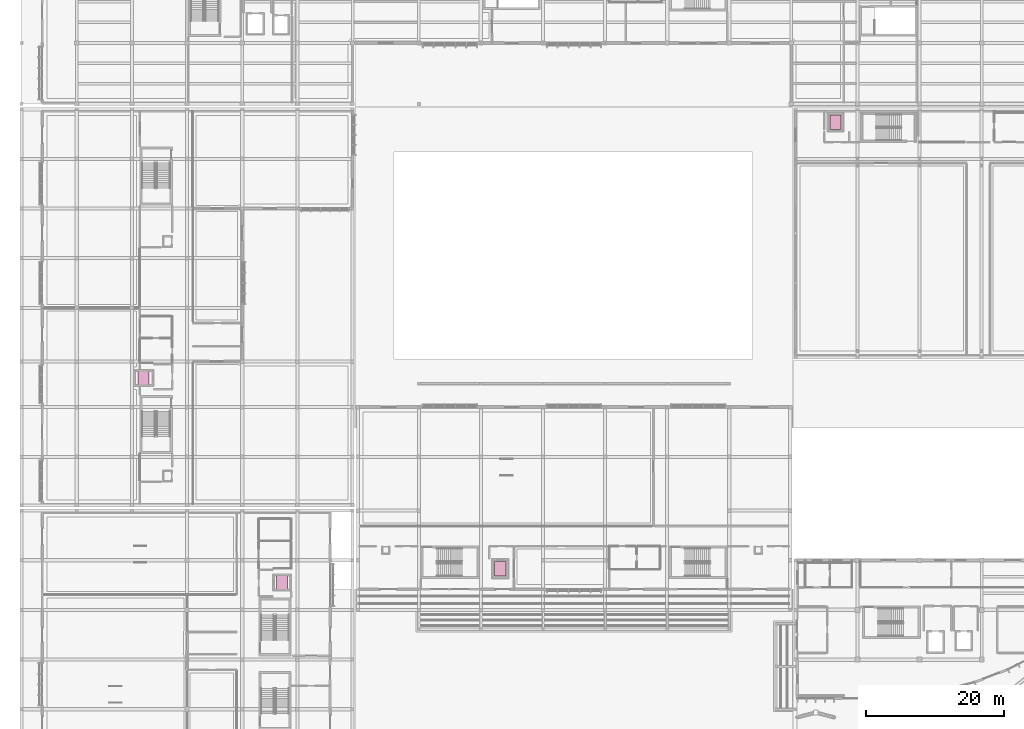
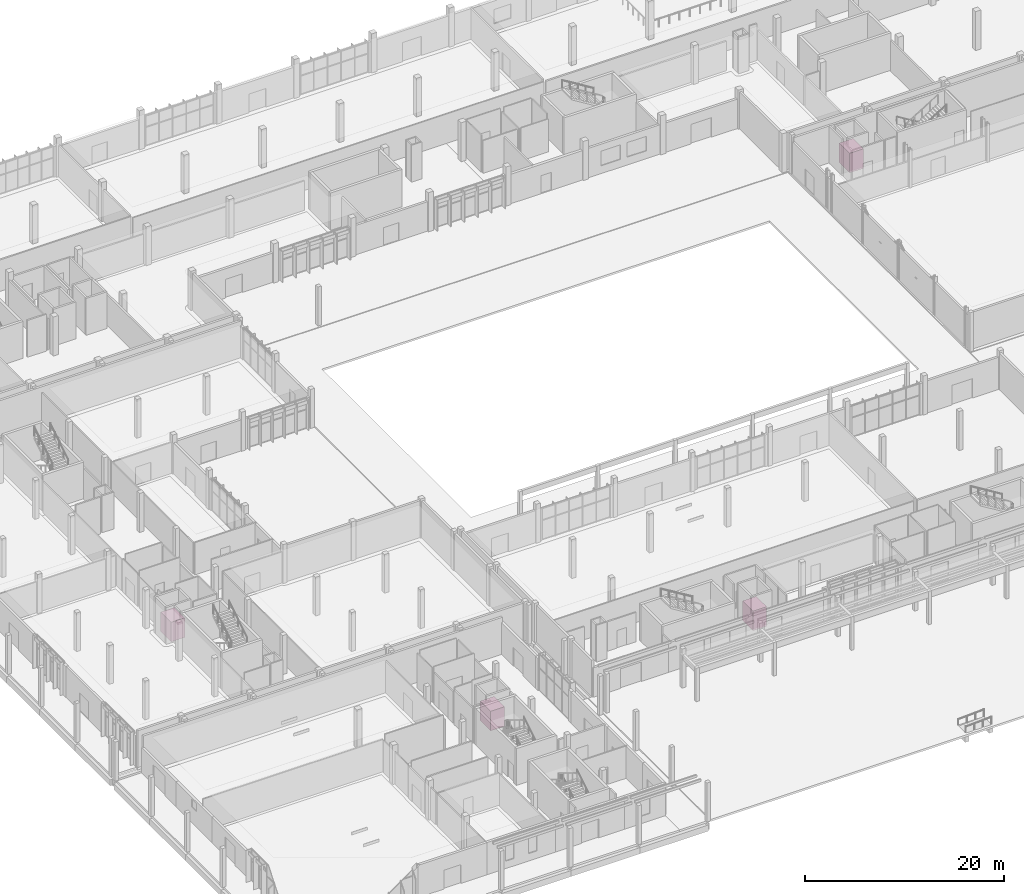
# One storey, part 151 of 151: 4 transport elements.
"""IFC4 building model written with IfcOpenShell, lengths in metres."""

from ifc_helpers import new_model, si_unit, direction, frame, origin, origin_2d, place, context, subcontext, project, spatial, rectangle, extrude, material, type_object, element, save


model = new_model("IFC4")

# Units and contexts
model_context = context("Model", 3, precision=1e-05, world=origin(), true_north=direction((0.0, 1.0)))
body_context = subcontext(model_context, "Body", "Model", "MODEL_VIEW")
ifc_project = project(units=[si_unit("LENGTHUNIT", "METRE"), si_unit("AREAUNIT", "SQUARE_METRE"), si_unit("VOLUMEUNIT", "CUBIC_METRE"), si_unit("PLANEANGLEUNIT", "RADIAN"), si_unit("MASSUNIT", "GRAM", prefix="KILO")], contexts=[model_context])

# Site, building, storey
site_placement = place(None, origin())
site = spatial("IfcSite", under=ifc_project, at=site_placement, CompositionType="ELEMENT")
building_placement = place(site_placement, origin())
building = spatial("IfcBuilding", under=site, at=building_placement, Name="Chiffa Square Polytechnic", CompositionType="ELEMENT")
storey_placement = place(building_placement, origin())
storey = spatial("IfcBuildingStorey", under=building, at=storey_placement, Name="L00", CompositionType="ELEMENT", Elevation=0.0)

# Transport elements
ifc_material = material(Name="Stainless steel", Category="steel")
transport_element_type = type_object("IfcTransportElementType", Name="LIFT-PAX-1275", PredefinedType="ELEVATOR", material=ifc_material)
for number, where, z_axis, x_axis, name in (
    (1, (118.0, 92.31494140625, 0.0), (0.0, 0.0, 1.0), (1.0, 0.0, 0.0), "Lift LP-V2"),
    (2, (37.75, 25.60009765625, 0.0), (0.0, 0.0, 1.0), (1.0, 0.0, 0.0), "Lift LP-V3"),
    (3, (69.39990234375, 27.60009765625, 0.0), (0.0, 0.0, 1.0), (1.0, 0.0, 0.0), "Lift LP-V4"),
    (4, (17.699951171875, 55.199951171875, 0.0), (0.0, 0.0, 1.0), (1.0, 0.0, 0.0), "Lift LP-V6A"),
):
    element("IfcTransportElement", number, at=place(storey_placement, frame(where, z_axis=z_axis, x_axis=x_axis)), inside=storey, type_object=transport_element_type, Name=name, PredefinedType="ELEVATOR", context=body_context, shape_type="SweptSolid", body=[
        extrude(rectangle(XDim=1.60009765625, YDim=2.10009765625, at=origin_2d()), origin(), (0.0, 0.0, 1.0), 2.39990234375),
    ])

save(model, "model.ifc")
